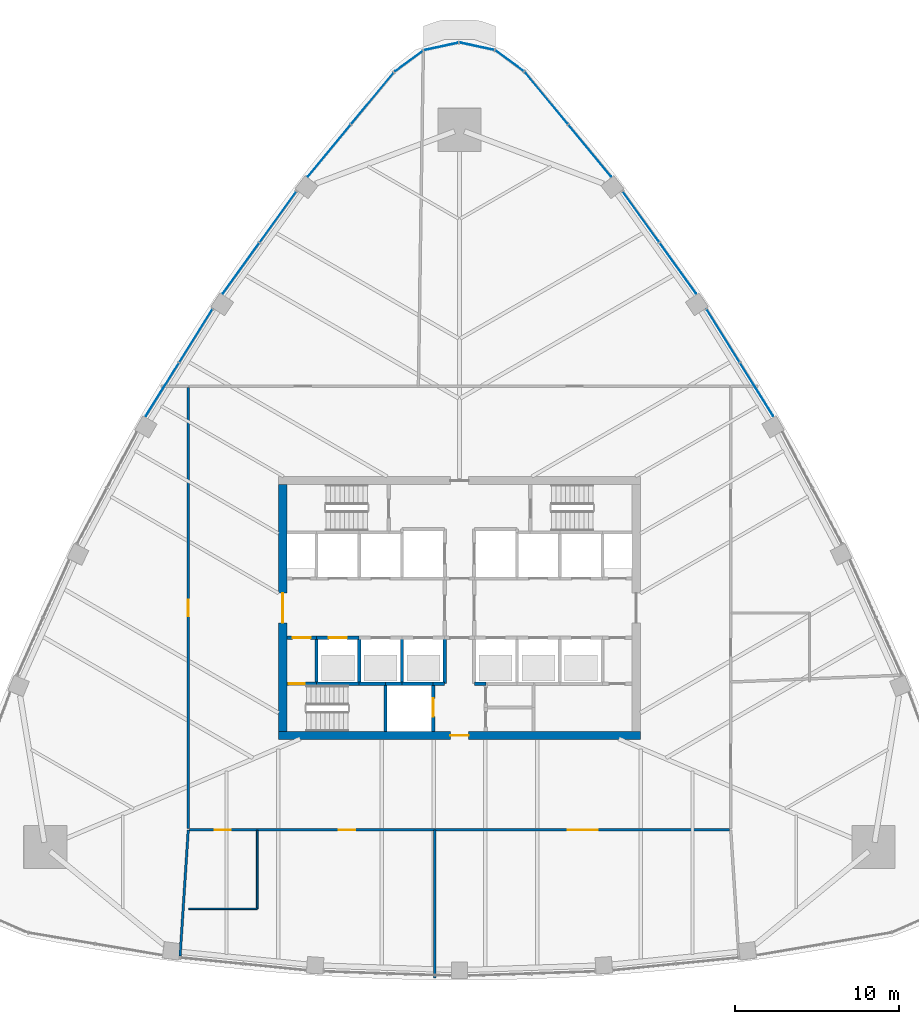
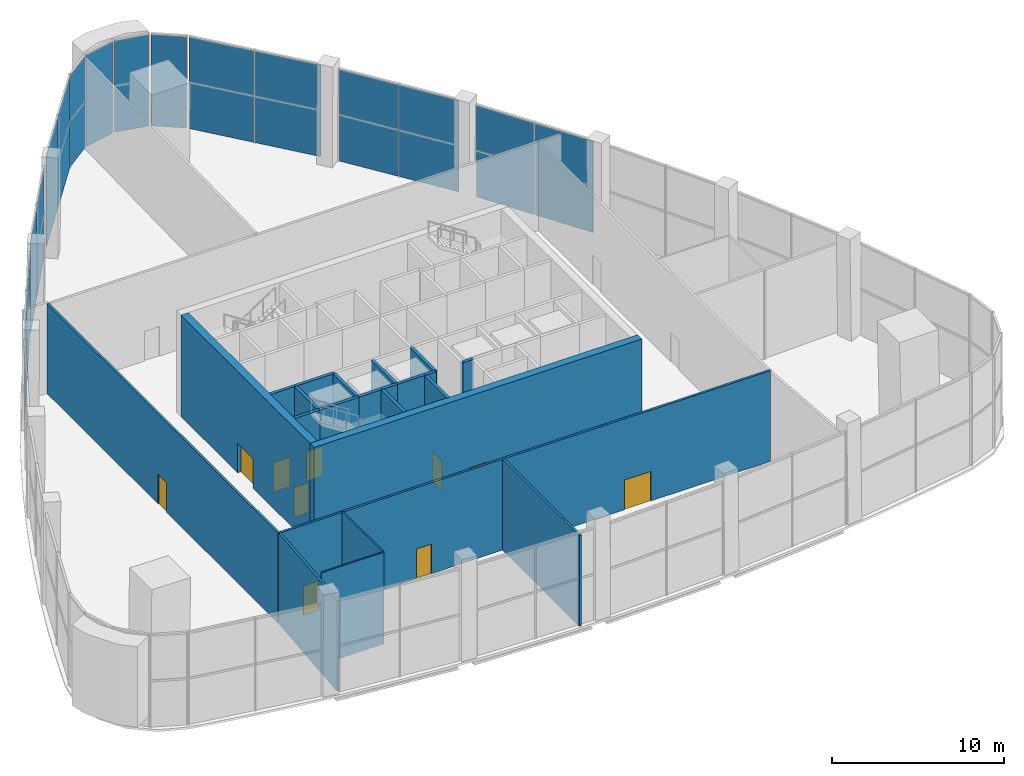
# One storey, part 9 of 15: 23 walls, 16 plates, 10 doors, 10 openings, 10 elements without a shape of their own.
"""IFC4 building model written with IfcOpenShell, lengths in metres."""

from ifc_helpers import new_model, si_unit, direction, frame, frame_2d, origin, origin_2d, place, context, subcontext, project, spatial, rectangle, extrude, material, layer, layer_set, type_object, element, fill, aggregate, save


model = new_model("IFC4")

# Units and contexts
model_context = context("Model", 3, precision=1e-05, world=origin(), true_north=direction((0.0, 1.0)))
body_context = subcontext(model_context, "Body", "Model", "MODEL_VIEW")
ifc_project = project(units=[si_unit("LENGTHUNIT", "METRE"), si_unit("AREAUNIT", "SQUARE_METRE"), si_unit("VOLUMEUNIT", "CUBIC_METRE"), si_unit("PLANEANGLEUNIT", "RADIAN"), si_unit("MASSUNIT", "GRAM", prefix="KILO")], contexts=[model_context])

# Site, building, storey
site_placement = place(None, origin())
site = spatial("IfcSite", under=ifc_project, at=site_placement, CompositionType="ELEMENT")
building_placement = place(site_placement, origin())
building = spatial("IfcBuilding", under=site, at=building_placement, Name="Sierra Prisma Convention Tower", CompositionType="ELEMENT")
storey_placement = place(building_placement, frame((0.0, 0.0, 118.60009765625)))
storey = spatial("IfcBuildingStorey", under=building, at=storey_placement, Name="L25", CompositionType="ELEMENT", Elevation=118.60009765625)

# Curtain wall, plates
ifc_material_1 = material(Name="Aluminium and glass curtain wall", Category="aluminium")
ifc_layer_1 = layer(ifc_material_1, 0.179931640625)
ifc_layer_set_1 = layer_set([ifc_layer_1], Name="CW-4 Sky lobby double-height curtain wall")
curtain_wall_type = type_object("IfcCurtainWallType", Name="CW-4 Sky lobby double-height curtain wall", PredefinedType="NOTDEFINED", material=ifc_layer_set_1)
curtain_wall_1_placement = place(storey_placement, origin())
curtain_wall_1 = element("IfcCurtainWall", 1, at=curtain_wall_1_placement, inside=storey, type_object=curtain_wall_type, Name="CW-4 NE4 L25", PredefinedType="NOTDEFINED")
ifc_material_2 = material(Name="Tinted glass bronze-grey IGU", Category="glass")
ifc_layer_2 = layer(ifc_material_2, 0.035888671875)
ifc_layer_set_2 = layer_set([ifc_layer_2], Name="CW-4 glass panel")
plate_type = type_object("IfcPlateType", Name="CW-4 glass panel", PredefinedType="CURTAIN_PANEL", material=ifc_layer_set_2)
plate_1_placement = place(storey_placement, frame((18.07861328125, 13.284912109375, 0.0), z_axis=(0.0, 0.0, 1.0), x_axis=(-0.528642254798, 0.848844724577, 0.0)))
plate_1 = element("IfcPlate", 2, at=plate_1_placement, type_object=plate_type, Name="CW-4 panel NE4.1", PredefinedType="CURTAIN_PANEL", context=body_context, shape_type="SweptSolid", body=[
    extrude(rectangle(XDim=3.79443359375, YDim=0.035888671875, at=origin_2d()), origin(), (0.0, 0.0, 1.0), 6.47998046875),
])
plate_2_placement = place(storey_placement, frame((16.03564453125, 16.565185546875, 0.0), z_axis=(0.0, 0.0, 1.0), x_axis=(-0.528642254798, 0.848844724577, 0.0)))
plate_2 = element("IfcPlate", 3, at=plate_2_placement, type_object=plate_type, Name="CW-4 panel NE4.2", PredefinedType="CURTAIN_PANEL", context=body_context, shape_type="SweptSolid", body=[
    extrude(rectangle(XDim=3.79443359375, YDim=0.035888671875, at=origin_2d()), origin(), (0.0, 0.0, 1.0), 6.47998046875),
])
aggregate(curtain_wall_1, [plate_1, plate_2])

curtain_wall_2_placement = place(storey_placement, origin())
curtain_wall_2 = element("IfcCurtainWall", 4, at=curtain_wall_2_placement, inside=storey, type_object=curtain_wall_type, Name="CW-4 NE5 L25", PredefinedType="NOTDEFINED")
plate_3_placement = place(storey_placement, frame((13.288330078125, 20.66650390625, 0.0), z_axis=(0.0, 0.0, 1.0), x_axis=(-0.584126282538, 0.811662790849, 0.0)))
plate_3 = element("IfcPlate", 5, at=plate_3_placement, type_object=plate_type, Name="CW-4 panel NE5.1", PredefinedType="CURTAIN_PANEL", context=body_context, shape_type="SweptSolid", body=[
    extrude(rectangle(XDim=3.779052734375, YDim=0.035888671875, at=origin_2d()), origin(), (0.0, 0.0, 1.0), 6.47998046875),
])
plate_4_placement = place(storey_placement, frame((11.039794921875, 23.79052734375, 0.0), z_axis=(0.0, 0.0, 1.0), x_axis=(-0.584126282538, 0.811662790849, 0.0)))
plate_4 = element("IfcPlate", 6, at=plate_4_placement, type_object=plate_type, Name="CW-4 panel NE5.2", PredefinedType="CURTAIN_PANEL", context=body_context, shape_type="SweptSolid", body=[
    extrude(rectangle(XDim=3.779052734375, YDim=0.035888671875, at=origin_2d()), origin(), (0.0, 0.0, 1.0), 6.47998046875),
])
aggregate(curtain_wall_2, [plate_3, plate_4])

curtain_wall_3_placement = place(storey_placement, origin())
curtain_wall_3 = element("IfcCurtainWall", 7, at=curtain_wall_3_placement, inside=storey, type_object=curtain_wall_type, Name="CW-4 NE6 L25", PredefinedType="NOTDEFINED")
plate_5_placement = place(storey_placement, frame((7.9248046875, 27.822509765625, 0.0), z_axis=(0.0, 0.0, 1.0), x_axis=(-0.637004538379, 0.770860050907, 0.0)))
plate_5 = element("IfcPlate", 8, at=plate_5_placement, type_object=plate_type, Name="CW-4 panel NE6.1", PredefinedType="CURTAIN_PANEL", context=body_context, shape_type="SweptSolid", body=[
    extrude(rectangle(XDim=4.050537109375, YDim=0.035888671875, at=origin_2d()), origin(), (0.0, 0.0, 1.0), 6.47998046875),
])
plate_6_placement = place(storey_placement, frame((5.2998046875, 30.9990234375, 0.0), z_axis=(0.0, 0.0, 1.0), x_axis=(-0.637004538379, 0.770860050907, 0.0)))
plate_6 = element("IfcPlate", 9, at=plate_6_placement, type_object=plate_type, Name="CW-4 panel NE6.2", PredefinedType="CURTAIN_PANEL", context=body_context, shape_type="SweptSolid", body=[
    extrude(rectangle(XDim=4.050537109375, YDim=0.035888671875, at=origin_2d()), origin(), (0.0, 0.0, 1.0), 6.47998046875),
])
aggregate(curtain_wall_3, [plate_5, plate_6])

# Curtain wall, plate
curtain_wall_4_placement = place(storey_placement, origin())
curtain_wall_4 = element("IfcCurtainWall", 10, at=curtain_wall_4_placement, inside=storey, type_object=curtain_wall_type, Name="CW-4 N1 L25", PredefinedType="NOTDEFINED")
plate_7_placement = place(storey_placement, frame((3.06982421875, 33.27392578125, 0.0), z_axis=(0.0, 0.0, 1.0), x_axis=(-0.805017389463, 0.593251213789, 0.0)))
plate_7 = element("IfcPlate", 11, at=plate_7_placement, type_object=plate_type, Name="CW-4 panel N1.1", PredefinedType="CURTAIN_PANEL", context=body_context, shape_type="SweptSolid", body=[
    extrude(rectangle(XDim=2.084228515625, YDim=0.035888671875, at=origin_2d()), origin(), (0.0, 0.0, 1.0), 6.47998046875),
])
aggregate(curtain_wall_4, [plate_7])

curtain_wall_5_placement = place(storey_placement, origin())
curtain_wall_5 = element("IfcCurtainWall", 12, at=curtain_wall_5_placement, inside=storey, type_object=curtain_wall_type, Name="CW-4 N2 L25", PredefinedType="NOTDEFINED")
plate_8_placement = place(storey_placement, frame((1.08740234375, 34.167236328125, 0.0), z_axis=(0.0, 0.0, 1.0), x_axis=(-0.97767571186, 0.210119495621, 0.0)))
plate_8 = element("IfcPlate", 13, at=plate_8_placement, type_object=plate_type, Name="CW-4 panel N2.1", PredefinedType="CURTAIN_PANEL", context=body_context, shape_type="SweptSolid", body=[
    extrude(rectangle(XDim=2.084228515625, YDim=0.035888671875, at=origin_2d()), origin(), (0.0, 0.0, 1.0), 6.47998046875),
])
aggregate(curtain_wall_5, [plate_8])

curtain_wall_6_placement = place(storey_placement, origin())
curtain_wall_6 = element("IfcCurtainWall", 14, at=curtain_wall_6_placement, inside=storey, type_object=curtain_wall_type, Name="CW-4 N3 L25", PredefinedType="NOTDEFINED")
plate_9_placement = place(storey_placement, frame((-1.08740234375, 34.167236328125, 0.0), z_axis=(0.0, 0.0, 1.0), x_axis=(-0.97767571186, -0.210119495621, 0.0)))
plate_9 = element("IfcPlate", 15, at=plate_9_placement, type_object=plate_type, Name="CW-4 panel N3.1", PredefinedType="CURTAIN_PANEL", context=body_context, shape_type="SweptSolid", body=[
    extrude(rectangle(XDim=2.084228515625, YDim=0.035888671875, at=origin_2d()), origin(), (0.0, 0.0, 1.0), 6.47998046875),
])
aggregate(curtain_wall_6, [plate_9])

curtain_wall_7_placement = place(storey_placement, origin())
curtain_wall_7 = element("IfcCurtainWall", 16, at=curtain_wall_7_placement, inside=storey, type_object=curtain_wall_type, Name="CW-4 N4 L25", PredefinedType="NOTDEFINED")
plate_10_placement = place(storey_placement, frame((-3.06982421875, 33.27392578125, 0.0), z_axis=(0.0, 0.0, 1.0), x_axis=(-0.805017389463, -0.593251213789, 0.0)))
plate_10 = element("IfcPlate", 17, at=plate_10_placement, type_object=plate_type, Name="CW-4 panel N4.1", PredefinedType="CURTAIN_PANEL", context=body_context, shape_type="SweptSolid", body=[
    extrude(rectangle(XDim=2.084228515625, YDim=0.035888671875, at=origin_2d()), origin(), (0.0, 0.0, 1.0), 6.47998046875),
])
aggregate(curtain_wall_7, [plate_10])

# Curtain wall, plates
curtain_wall_8_placement = place(storey_placement, origin())
curtain_wall_8 = element("IfcCurtainWall", 18, at=curtain_wall_8_placement, inside=storey, type_object=curtain_wall_type, Name="CW-4 NW1 L25", PredefinedType="NOTDEFINED")
plate_11_placement = place(storey_placement, frame((-5.2998046875, 30.9990234375, 0.0), z_axis=(0.0, 0.0, 1.0), x_axis=(-0.637004538379, -0.770860050907, 0.0)))
plate_11 = element("IfcPlate", 19, at=plate_11_placement, type_object=plate_type, Name="CW-4 panel NW1.1", PredefinedType="CURTAIN_PANEL", context=body_context, shape_type="SweptSolid", body=[
    extrude(rectangle(XDim=4.050537109375, YDim=0.035888671875, at=origin_2d()), origin(), (0.0, 0.0, 1.0), 6.47998046875),
])
plate_12_placement = place(storey_placement, frame((-7.9248046875, 27.822509765625, 0.0), z_axis=(0.0, 0.0, 1.0), x_axis=(-0.637004538379, -0.770860050907, 0.0)))
plate_12 = element("IfcPlate", 20, at=plate_12_placement, type_object=plate_type, Name="CW-4 panel NW1.2", PredefinedType="CURTAIN_PANEL", context=body_context, shape_type="SweptSolid", body=[
    extrude(rectangle(XDim=4.050537109375, YDim=0.035888671875, at=origin_2d()), origin(), (0.0, 0.0, 1.0), 6.47998046875),
])
aggregate(curtain_wall_8, [plate_11, plate_12])

curtain_wall_9_placement = place(storey_placement, origin())
curtain_wall_9 = element("IfcCurtainWall", 21, at=curtain_wall_9_placement, inside=storey, type_object=curtain_wall_type, Name="CW-4 NW2 L25", PredefinedType="NOTDEFINED")
plate_13_placement = place(storey_placement, frame((-11.040771484375, 23.789306640625, 0.0), z_axis=(0.0, 0.0, 1.0), x_axis=(-0.584126282538, -0.811662790849, 0.0)))
plate_13 = element("IfcPlate", 22, at=plate_13_placement, type_object=plate_type, Name="CW-4 panel NW2.1", PredefinedType="CURTAIN_PANEL", context=body_context, shape_type="SweptSolid", body=[
    extrude(rectangle(XDim=3.778076171875, YDim=0.035888671875, at=origin_2d()), origin(), (0.0, 0.0, 1.0), 6.47998046875),
])
plate_14_placement = place(storey_placement, frame((-13.28857421875, 20.666015625, 0.0), z_axis=(0.0, 0.0, 1.0), x_axis=(-0.584126282538, -0.811662790849, 0.0)))
plate_14 = element("IfcPlate", 23, at=plate_14_placement, type_object=plate_type, Name="CW-4 panel NW2.2", PredefinedType="CURTAIN_PANEL", context=body_context, shape_type="SweptSolid", body=[
    extrude(rectangle(XDim=3.778076171875, YDim=0.035888671875, at=origin_2d()), origin(), (0.0, 0.0, 1.0), 6.47998046875),
])
aggregate(curtain_wall_9, [plate_13, plate_14])

curtain_wall_10_placement = place(storey_placement, origin())
curtain_wall_10 = element("IfcCurtainWall", 24, at=curtain_wall_10_placement, inside=storey, type_object=curtain_wall_type, Name="CW-4 NW3 L25", PredefinedType="NOTDEFINED")
plate_15_placement = place(storey_placement, frame((-16.035888671875, 16.565185546875, 0.0), z_axis=(0.0, 0.0, 1.0), x_axis=(-0.528642254798, -0.848844724577, 0.0)))
plate_15 = element("IfcPlate", 25, at=plate_15_placement, type_object=plate_type, Name="CW-4 panel NW3.1", PredefinedType="CURTAIN_PANEL", context=body_context, shape_type="SweptSolid", body=[
    extrude(rectangle(XDim=3.794189453125, YDim=0.035888671875, at=origin_2d()), origin(), (0.0, 0.0, 1.0), 6.47998046875),
])
plate_16_placement = place(storey_placement, frame((-18.07861328125, 13.284912109375, 0.0), z_axis=(0.0, 0.0, 1.0), x_axis=(-0.528642254798, -0.848844724577, 0.0)))
plate_16 = element("IfcPlate", 26, at=plate_16_placement, type_object=plate_type, Name="CW-4 panel NW3.2", PredefinedType="CURTAIN_PANEL", context=body_context, shape_type="SweptSolid", body=[
    extrude(rectangle(XDim=3.794189453125, YDim=0.035888671875, at=origin_2d()), origin(), (0.0, 0.0, 1.0), 6.47998046875),
])
aggregate(curtain_wall_10, [plate_15, plate_16])

# Walls
ifc_material_3 = material(Name="Gypsum board partition", Category="gypsum")
ifc_layer_3 = layer(ifc_material_3, 0.10009765625)
ifc_layer_set_3 = layer_set([ifc_layer_3], Name="Bathroom partition 100")
wall_type_1 = type_object("IfcWallType", Name="Bathroom partition 100", PredefinedType="PARTITIONING", material=ifc_layer_set_3)
wall_1_placement = place(storey_placement, frame((-12.300048828125, -13.530029296875, 0.0), z_axis=(0.0, 0.0, 1.0), x_axis=(0.0, -1.0, 0.0)))
element("IfcWall", 27, at=wall_1_placement, inside=storey, type_object=wall_type_1, Name="Partition L25 bath 1", PredefinedType="PARTITIONING", context=body_context, shape_type="SweptSolid", body=[
    extrude(rectangle(XDim=4.77001953125, YDim=0.10009765625, at=frame_2d((2.385009765625, 0.0))), origin(), (0.0, 0.0, 1.0), 6.5),
])
wall_2_placement = place(storey_placement, frame((-12.300048828125, -18.300048828125, 0.0), z_axis=(0.0, 0.0, 1.0), x_axis=(-1.0, 0.0, 0.0)))
element("IfcWall", 28, at=wall_2_placement, inside=storey, type_object=wall_type_1, Name="Partition L25 bath 2", PredefinedType="PARTITIONING", context=body_context, shape_type="SweptSolid", body=[
    extrude(rectangle(XDim=4.169921875, YDim=0.10009765625, at=frame_2d((2.0849609375, 0.0))), origin(), (0.0, 0.0, 1.0), 6.5),
])

# Wall, opening, door
ifc_material_4 = material(Name="Concrete C30/37", Category="concrete")
ifc_layer_4 = layer(ifc_material_4, 0.199951171875)
ifc_layer_set_4 = layer_set([ifc_layer_4], Name="Core wall RC 200 C30/37")
wall_type_2 = type_object("IfcWallType", Name="Core wall RC 200 C30/37", PredefinedType="SOLIDWALL", material=ifc_layer_set_4)
wall_3_placement = place(storey_placement, frame((-10.5, -4.60009765625, 0.0), z_axis=(0.0, 0.0, 1.0), x_axis=(1.0, 0.0, 0.0)))
wall_3 = element("IfcWall", 29, at=wall_3_placement, inside=storey, type_object=wall_type_2, Name="Core wall L25 1", PredefinedType="SOLIDWALL", context=body_context, shape_type="SweptSolid", body=[
    extrude(rectangle(XDim=1.800048828125, YDim=0.199951171875, at=frame_2d((0.89990234375, 0.0))), origin(), (0.0, 0.0, 1.0), 7.0498046875),
])
opening_1_placement = place(wall_3_placement, frame((0.10009765625, 0.0, 0.0)))
opening_1 = element("IfcOpeningElement", 30, at=opening_1_placement, cuts=wall_3, Name="Opening L25-D021", PredefinedType="OPENING", context=body_context, shape_type="SweptSolid", body=[
    extrude(rectangle(XDim=1.0, YDim=2.10009765625, at=frame_2d((0.5, 1.050048828125))), frame((0.0, 0.10009765625, 0.0), z_axis=(0.0, -1.0, 0.0), x_axis=(1.0, 0.0, 0.0)), (0.0, 0.0, 1.0), 0.199951171875),
])
ifc_material_5 = material(Name="Steel fire door leaf", Category="steel")
door_type_1 = type_object("IfcDoorType", Name="Door 1000x2100 FD90S", OperationType="SINGLE_SWING_LEFT", PredefinedType="DOOR", material=ifc_material_5)
door_1_placement = place(opening_1_placement, origin())
door_1 = element("IfcDoor", 31, at=door_1_placement, inside=storey, type_object=door_type_1, Name="Door L25 30", OperationType="SINGLE_SWING_LEFT", OverallHeight=2.10009765625, OverallWidth=1.0, PredefinedType="DOOR", context=body_context, shape_type="SweptSolid", body=[
    extrude(rectangle(XDim=1.0, YDim=2.10009765625, at=frame_2d((0.5, 1.050048828125))), frame((0.0, 0.02490234375, 0.0), z_axis=(0.0, -1.0, 0.0), x_axis=(1.0, 0.0, 0.0)), (0.0, 0.0, 1.0), 0.050048828125),
])
fill(opening_1, door_1)

wall_4_placement = place(storey_placement, frame((-10.5, -1.800048828125, 0.0), z_axis=(0.0, 0.0, 1.0), x_axis=(1.0, 0.0, 0.0)))
wall_4 = element("IfcWall", 32, at=wall_4_placement, inside=storey, type_object=wall_type_2, Name="Core wall L25 2", PredefinedType="SOLIDWALL", context=body_context, shape_type="SweptSolid", body=[
    extrude(rectangle(XDim=1.800048828125, YDim=0.199951171875, at=frame_2d((0.89990234375, 0.0))), origin(), (0.0, 0.0, 1.0), 7.0498046875),
])
opening_2_placement = place(wall_4_placement, frame((0.35009765625, 0.0, 0.0)))
opening_2 = element("IfcOpeningElement", 33, at=opening_2_placement, cuts=wall_4, Name="Opening L25-D016", PredefinedType="OPENING", context=body_context, shape_type="SweptSolid", body=[
    extrude(rectangle(XDim=1.10009765625, YDim=2.10009765625, at=frame_2d((0.550048828125, 1.050048828125))), frame((0.0, 0.10009765625, 0.0), z_axis=(0.0, -1.0, 0.0), x_axis=(1.0, 0.0, 0.0)), (0.0, 0.0, 1.0), 0.199951171875),
])
ifc_material_6 = material(Name="Steel fire door leaf", Category="steel")
door_type_2 = type_object("IfcDoorType", Name="Door 1100x2100 FD90S", OperationType="SINGLE_SWING_LEFT", PredefinedType="DOOR", material=ifc_material_6)
door_2_placement = place(opening_2_placement, origin())
door_2 = element("IfcDoor", 34, at=door_2_placement, inside=storey, type_object=door_type_2, Name="Door L25 25", OperationType="SINGLE_SWING_RIGHT", OverallHeight=2.10009765625, OverallWidth=1.10009765625, PredefinedType="DOOR", context=body_context, shape_type="SweptSolid", body=[
    extrude(rectangle(XDim=1.10009765625, YDim=2.10009765625, at=frame_2d((0.550048828125, 1.050048828125))), frame((0.0, 0.02490234375, 0.0), z_axis=(0.0, -1.0, 0.0), x_axis=(1.0, 0.0, 0.0)), (0.0, 0.0, 1.0), 0.050048828125),
])
fill(opening_2, door_2)

# Walls
wall_5_placement = place(storey_placement, frame((-8.699951171875, -4.60009765625, 0.0), z_axis=(0.0, 0.0, 1.0), x_axis=(1.0, 0.0, 0.0)))
element("IfcWall", 35, at=wall_5_placement, inside=storey, type_object=wall_type_2, Name="Core wall L25 5", PredefinedType="SOLIDWALL", context=body_context, shape_type="SweptSolid", body=[
    extrude(rectangle(XDim=2.599853515625, YDim=0.199951171875, at=frame_2d((1.2998046875, 0.0))), origin(), (0.0, 0.0, 1.0), 7.0498046875),
])
wall_6_placement = place(storey_placement, frame((-8.699951171875, -4.60009765625, 0.0), z_axis=(0.0, 0.0, 1.0), x_axis=(0.0, 1.0, 0.0)))
element("IfcWall", 36, at=wall_6_placement, inside=storey, type_object=wall_type_2, Name="Core wall L25 6", PredefinedType="SOLIDWALL", context=body_context, shape_type="SweptSolid", body=[
    extrude(rectangle(XDim=2.800048828125, YDim=0.199951171875, at=frame_2d((1.39990234375, 0.0))), origin(), (0.0, 0.0, 1.0), 7.0498046875),
])

# Wall, opening, door
wall_7_placement = place(storey_placement, frame((-8.699951171875, -1.800048828125, 0.0), z_axis=(0.0, 0.0, 1.0), x_axis=(1.0, 0.0, 0.0)))
wall_7 = element("IfcWall", 37, at=wall_7_placement, inside=storey, type_object=wall_type_2, Name="Core wall L25 7", PredefinedType="SOLIDWALL", context=body_context, shape_type="SweptSolid", body=[
    extrude(rectangle(XDim=2.599853515625, YDim=0.199951171875, at=frame_2d((1.2998046875, 0.0))), origin(), (0.0, 0.0, 1.0), 7.0498046875),
])
opening_3_placement = place(wall_7_placement, frame((0.75, 0.0, 0.0)))
opening_3 = element("IfcOpeningElement", 38, at=opening_3_placement, cuts=wall_7, Name="Opening L25-D001", PredefinedType="OPENING", context=body_context, shape_type="SweptSolid", body=[
    extrude(rectangle(XDim=1.10009765625, YDim=2.10009765625, at=frame_2d((0.550048828125, 1.050048828125))), frame((0.0, 0.10009765625, 0.0), z_axis=(0.0, -1.0, 0.0), x_axis=(1.0, 0.0, 0.0)), (0.0, 0.0, 1.0), 0.199951171875),
])
ifc_material_7 = material(Name="Steel fire door leaf", Category="steel")
door_type_3 = type_object("IfcDoorType", Name="Door 1100x2100 EI 90 sliding lift landing", OperationType="SLIDING_TO_LEFT", PredefinedType="DOOR", material=ifc_material_7)
door_3_placement = place(opening_3_placement, origin())
door_3 = element("IfcDoor", 39, at=door_3_placement, inside=storey, type_object=door_type_3, Name="Door L25 10", OperationType="SLIDING_TO_LEFT", OverallHeight=2.10009765625, OverallWidth=1.10009765625, PredefinedType="DOOR", context=body_context, shape_type="SweptSolid", body=[
    extrude(rectangle(XDim=1.10009765625, YDim=2.10009765625, at=frame_2d((0.550048828125, 1.050048828125))), frame((0.0, 0.02490234375, 0.0), z_axis=(0.0, -1.0, 0.0), x_axis=(1.0, 0.0, 0.0)), (0.0, 0.0, 1.0), 0.050048828125),
])
fill(opening_3, door_3)

# Walls
wall_8_placement = place(storey_placement, frame((-6.10009765625, -4.60009765625, 0.0), z_axis=(0.0, 0.0, 1.0), x_axis=(1.0, 0.0, 0.0)))
element("IfcWall", 40, at=wall_8_placement, inside=storey, type_object=wall_type_2, Name="Core wall L25 11", PredefinedType="SOLIDWALL", context=body_context, shape_type="SweptSolid", body=[
    extrude(rectangle(XDim=1.60009765625, YDim=0.199951171875, at=frame_2d((0.800048828125, 0.0))), origin(), (0.0, 0.0, 1.0), 7.0498046875),
])
wall_9_placement = place(storey_placement, frame((-6.10009765625, -4.60009765625, 0.0), z_axis=(0.0, 0.0, 1.0), x_axis=(0.0, 1.0, 0.0)))
element("IfcWall", 41, at=wall_9_placement, inside=storey, type_object=wall_type_2, Name="Core wall L25 12", PredefinedType="SOLIDWALL", context=body_context, shape_type="SweptSolid", body=[
    extrude(rectangle(XDim=2.800048828125, YDim=0.199951171875, at=frame_2d((1.39990234375, 0.0))), origin(), (0.0, 0.0, 1.0), 7.0498046875),
])
wall_10_placement = place(storey_placement, frame((-4.5, -4.60009765625, 0.0), z_axis=(0.0, 0.0, 1.0), x_axis=(0.0, -1.0, 0.0)))
element("IfcWall", 42, at=wall_10_placement, inside=storey, type_object=wall_type_2, Name="Core wall L25 17", PredefinedType="SOLIDWALL", context=body_context, shape_type="SweptSolid", body=[
    extrude(rectangle(XDim=2.89990234375, YDim=0.199951171875, at=frame_2d((1.449951171875, 0.0))), origin(), (0.0, 0.0, 1.0), 7.0498046875),
])
wall_11_placement = place(storey_placement, frame((-4.5, -4.60009765625, 0.0), z_axis=(0.0, 0.0, 1.0), x_axis=(1.0, 0.0, 0.0)))
element("IfcWall", 43, at=wall_11_placement, inside=storey, type_object=wall_type_2, Name="Core wall L25 18", PredefinedType="SOLIDWALL", context=body_context, shape_type="SweptSolid", body=[
    extrude(rectangle(XDim=1.0, YDim=0.199951171875, at=frame_2d((0.5, 0.0))), origin(), (0.0, 0.0, 1.0), 7.0498046875),
])
wall_12_placement = place(storey_placement, frame((-3.5, -4.60009765625, 0.0), z_axis=(0.0, 0.0, 1.0), x_axis=(1.0, 0.0, 0.0)))
element("IfcWall", 44, at=wall_12_placement, inside=storey, type_object=wall_type_2, Name="Core wall L25 21", PredefinedType="SOLIDWALL", context=body_context, shape_type="SweptSolid", body=[
    extrude(rectangle(XDim=1.89990234375, YDim=0.199951171875, at=frame_2d((0.949951171875, 0.0))), origin(), (0.0, 0.0, 1.0), 7.0498046875),
])
wall_13_placement = place(storey_placement, frame((-3.5, -4.60009765625, 0.0), z_axis=(0.0, 0.0, 1.0), x_axis=(0.0, 1.0, 0.0)))
element("IfcWall", 45, at=wall_13_placement, inside=storey, type_object=wall_type_2, Name="Core wall L25 22", PredefinedType="SOLIDWALL", context=body_context, shape_type="SweptSolid", body=[
    extrude(rectangle(XDim=2.800048828125, YDim=0.199951171875, at=frame_2d((1.39990234375, 0.0))), origin(), (0.0, 0.0, 1.0), 7.0498046875),
])

# Wall, opening, door
wall_14_placement = place(storey_placement, frame((-1.60009765625, -7.5, 0.0), z_axis=(0.0, 0.0, 1.0), x_axis=(0.0, 1.0, 0.0)))
wall_14 = element("IfcWall", 46, at=wall_14_placement, inside=storey, type_object=wall_type_2, Name="Core wall L25 29", PredefinedType="SOLIDWALL", context=body_context, shape_type="SweptSolid", body=[
    extrude(rectangle(XDim=2.89990234375, YDim=0.199951171875, at=frame_2d((1.449951171875, 0.0))), origin(), (0.0, 0.0, 1.0), 7.0498046875),
])
opening_4_placement = place(wall_14_placement, frame((0.89990234375, 0.0, 0.0)))
opening_4 = element("IfcOpeningElement", 47, at=opening_4_placement, cuts=wall_14, Name="Opening L25-D013", PredefinedType="OPENING", context=body_context, shape_type="SweptSolid", body=[
    extrude(rectangle(XDim=1.10009765625, YDim=2.10009765625, at=frame_2d((0.550048828125, 1.050048828125))), frame((0.0, 0.10009765625, 0.0), z_axis=(0.0, -1.0, 0.0), x_axis=(1.0, 0.0, 0.0)), (0.0, 0.0, 1.0), 0.199951171875),
])
door_4_placement = place(opening_4_placement, origin())
door_4 = element("IfcDoor", 48, at=door_4_placement, inside=storey, type_object=door_type_3, Name="Door L25 22", OperationType="SLIDING_TO_RIGHT", OverallHeight=2.10009765625, OverallWidth=1.10009765625, PredefinedType="DOOR", context=body_context, shape_type="SweptSolid", body=[
    extrude(rectangle(XDim=1.10009765625, YDim=2.10009765625, at=frame_2d((0.550048828125, 1.050048828125))), frame((0.0, 0.02490234375, 0.0), z_axis=(0.0, -1.0, 0.0), x_axis=(1.0, 0.0, 0.0)), (0.0, 0.0, 1.0), 0.050048828125),
])
fill(opening_4, door_4)

# Walls
wall_15_placement = place(storey_placement, frame((-1.60009765625, -4.60009765625, 0.0), z_axis=(0.0, 0.0, 1.0), x_axis=(1.0, 0.0, 0.0)))
element("IfcWall", 49, at=wall_15_placement, inside=storey, type_object=wall_type_2, Name="Core wall L25 30", PredefinedType="SOLIDWALL", context=body_context, shape_type="SweptSolid", body=[
    extrude(rectangle(XDim=0.7001953125, YDim=0.199951171875, at=frame_2d((0.35009765625, 0.0))), origin(), (0.0, 0.0, 1.0), 7.0498046875),
])
wall_16_placement = place(storey_placement, frame((-0.89990234375, -4.60009765625, 0.0), z_axis=(0.0, 0.0, 1.0), x_axis=(0.0, 1.0, 0.0)))
element("IfcWall", 50, at=wall_16_placement, inside=storey, type_object=wall_type_2, Name="Core wall L25 31", PredefinedType="SOLIDWALL", context=body_context, shape_type="SweptSolid", body=[
    extrude(rectangle(XDim=2.800048828125, YDim=0.199951171875, at=frame_2d((1.39990234375, 0.0))), origin(), (0.0, 0.0, 1.0), 7.0498046875),
])
wall_17_placement = place(storey_placement, frame((0.89990234375, -4.60009765625, 0.0), z_axis=(0.0, 0.0, 1.0), x_axis=(1.0, 0.0, 0.0)))
element("IfcWall", 51, at=wall_17_placement, inside=storey, type_object=wall_type_2, Name="Core wall L25 38", PredefinedType="SOLIDWALL", context=body_context, shape_type="SweptSolid", body=[
    extrude(rectangle(XDim=0.7001953125, YDim=0.199951171875, at=frame_2d((0.35009765625, 0.0))), origin(), (0.0, 0.0, 1.0), 7.0498046875),
])

# Wall, opening, door
ifc_material_8 = material(Name="Concrete C60/75", Category="concrete")
ifc_layer_5 = layer(ifc_material_8, 0.5)
ifc_layer_set_5 = layer_set([ifc_layer_5], Name="Core wall RC 500 C60/75")
wall_type_3 = type_object("IfcWallType", Name="Core wall RC 500 C60/75", PredefinedType="SHEAR", material=ifc_layer_set_5)
wall_18_placement = place(storey_placement, frame((-11.0, -7.75, 0.0), z_axis=(0.0, 0.0, 1.0), x_axis=(1.0, 0.0, 0.0)))
wall_18 = element("IfcWall", 52, at=wall_18_placement, inside=storey, type_object=wall_type_3, Name="Core wall S L25", PredefinedType="SHEAR", context=body_context, shape_type="SweptSolid", body=[
    extrude(rectangle(XDim=22.0, YDim=0.5, at=frame_2d((11.0, 0.0))), origin(), (0.0, 0.0, 1.0), 7.199951171875),
])
opening_5_placement = place(wall_18_placement, frame((10.449951171875, 0.0, 0.0)))
opening_5 = element("IfcOpeningElement", 53, at=opening_5_placement, cuts=wall_18, Name="Opening L25-D039", PredefinedType="OPENING", context=body_context, shape_type="SweptSolid", body=[
    extrude(rectangle(XDim=1.10009765625, YDim=2.10009765625, at=frame_2d((0.550048828125, 1.050048828125))), frame((0.0, 0.25, 0.0), z_axis=(0.0, -1.0, 0.0), x_axis=(1.0, 0.0, 0.0)), (0.0, 0.0, 1.0), 0.5),
])
ifc_material_9 = material(Name="Steel fire door leaf", Category="steel")
door_type_4 = type_object("IfcDoorType", Name="Door 1100x2100 FD30S", OperationType="SINGLE_SWING_LEFT", PredefinedType="DOOR", material=ifc_material_9)
door_5_placement = place(opening_5_placement, origin())
door_5 = element("IfcDoor", 54, at=door_5_placement, inside=storey, type_object=door_type_4, Name="Door L25 40", OperationType="SINGLE_SWING_LEFT", OverallHeight=2.10009765625, OverallWidth=1.10009765625, PredefinedType="DOOR", context=body_context, shape_type="SweptSolid", body=[
    extrude(rectangle(XDim=1.10009765625, YDim=2.10009765625, at=frame_2d((0.550048828125, 1.050048828125))), frame((0.0, 0.02490234375, 0.0), z_axis=(0.0, -1.0, 0.0), x_axis=(1.0, 0.0, 0.0)), (0.0, 0.0, 1.0), 0.050048828125),
])
fill(opening_5, door_5)

wall_19_placement = place(storey_placement, frame((-10.75, -7.5, 0.0), z_axis=(0.0, 0.0, 1.0), x_axis=(0.0, 1.0, 0.0)))
wall_19 = element("IfcWall", 55, at=wall_19_placement, inside=storey, type_object=wall_type_3, Name="Core wall W L25", PredefinedType="SHEAR", context=body_context, shape_type="SweptSolid", body=[
    extrude(rectangle(XDim=15.0, YDim=0.5, at=frame_2d((7.5, 0.0))), origin(), (0.0, 0.0, 1.0), 7.199951171875),
])
opening_6_placement = place(wall_19_placement, frame((6.60009765625, 0.0, 0.0)))
opening_6 = element("IfcOpeningElement", 56, at=opening_6_placement, cuts=wall_19, Name="Opening L25-D040", PredefinedType="OPENING", context=body_context, shape_type="SweptSolid", body=[
    extrude(rectangle(XDim=1.800048828125, YDim=2.10009765625, at=frame_2d((0.89990234375, 1.050048828125))), frame((0.0, 0.25, 0.0), z_axis=(0.0, -1.0, 0.0), x_axis=(1.0, 0.0, 0.0)), (0.0, 0.0, 1.0), 0.5),
])
ifc_material_10 = material(Name="Steel fire door leaf", Category="steel")
door_type_5 = type_object("IfcDoorType", Name="Door 1800x2100 FD60S", OperationType="DOUBLE_DOOR_SINGLE_SWING", PredefinedType="DOOR", material=ifc_material_10)
door_6_placement = place(opening_6_placement, origin())
door_6 = element("IfcDoor", 57, at=door_6_placement, inside=storey, type_object=door_type_5, Name="Door L25 37", OperationType="DOUBLE_DOOR_SINGLE_SWING", OverallHeight=2.10009765625, OverallWidth=1.800048828125, PredefinedType="DOOR", context=body_context, shape_type="SweptSolid", body=[
    extrude(rectangle(XDim=1.800048828125, YDim=2.10009765625, at=frame_2d((0.89990234375, 1.050048828125))), frame((0.0, 0.02490234375, 0.0), z_axis=(0.0, -1.0, 0.0), x_axis=(1.0, 0.0, 0.0)), (0.0, 0.0, 1.0), 0.050048828125),
])
fill(opening_6, door_6)

ifc_material_11 = material(Name="Gypsum board partition", Category="gypsum")
ifc_layer_6 = layer(ifc_material_11, 0.14990234375)
ifc_layer_set_6 = layer_set([ifc_layer_6], Name="Corridor wall 150 gypsum EI 60")
wall_type_4 = type_object("IfcWallType", Name="Corridor wall 150 gypsum EI 60", PredefinedType="PARTITIONING", material=ifc_layer_set_6)
wall_20_placement = place(storey_placement, frame((-16.5, 13.419921875, 0.0), z_axis=(0.0, 0.0, 1.0), x_axis=(0.0, -1.0, 0.0)))
wall_20 = element("IfcWall", 58, at=wall_20_placement, inside=storey, type_object=wall_type_4, Name="Partition L25 corr 1", PredefinedType="PARTITIONING", context=body_context, shape_type="SweptSolid", body=[
    extrude(rectangle(XDim=26.83984375, YDim=0.14990234375, at=frame_2d((13.419921875, 0.0))), origin(), (0.0, 0.0, 1.0), 6.365966796875),
])
opening_7_placement = place(wall_20_placement, frame((12.929931640625, 0.0, 0.0)))
opening_7 = element("IfcOpeningElement", 59, at=opening_7_placement, cuts=wall_20, Name="Opening L25-D032", PredefinedType="OPENING", context=body_context, shape_type="SweptSolid", body=[
    extrude(rectangle(XDim=1.0, YDim=2.10009765625, at=frame_2d((0.5, 1.050048828125))), frame((0.0, 0.074951171875, 0.0), z_axis=(0.0, -1.0, 0.0), x_axis=(1.0, 0.0, 0.0)), (0.0, 0.0, 1.0), 0.14990234375),
])
ifc_material_12 = material(Name="Steel fire door leaf", Category="steel")
door_type_6 = type_object("IfcDoorType", Name="Door 1000x2100 FD30S", OperationType="SINGLE_SWING_LEFT", PredefinedType="DOOR", material=ifc_material_12)
door_7_placement = place(opening_7_placement, origin())
door_7 = element("IfcDoor", 60, at=door_7_placement, inside=storey, type_object=door_type_6, Name="Door L25 5", OperationType="SINGLE_SWING_LEFT", OverallHeight=2.10009765625, OverallWidth=1.0, PredefinedType="DOOR", context=body_context, shape_type="SweptSolid", body=[
    extrude(rectangle(XDim=1.0, YDim=2.10009765625, at=frame_2d((0.5, 1.050048828125))), frame((0.0, 0.02490234375, 0.0), z_axis=(0.0, -1.0, 0.0), x_axis=(1.0, 0.0, 0.0)), (0.0, 0.0, 1.0), 0.050048828125),
])
fill(opening_7, door_7)

# Wall, openings, doors
wall_21_placement = place(storey_placement, frame((-16.419921875, -13.5, 0.0), z_axis=(0.0, 0.0, 1.0), x_axis=(1.0, 0.0, 0.0)))
wall_21 = element("IfcWall", 61, at=wall_21_placement, inside=storey, type_object=wall_type_4, Name="Partition L25 corr 2", PredefinedType="PARTITIONING", context=body_context, shape_type="SweptSolid", body=[
    extrude(rectangle(XDim=32.83984375, YDim=0.14990234375, at=frame_2d((16.419921875, 0.0))), origin(), (0.0, 0.0, 1.0), 6.44287109375),
])
opening_8_placement = place(wall_21_placement, frame((1.52001953125, 0.0, 0.0)))
opening_8 = element("IfcOpeningElement", 62, at=opening_8_placement, cuts=wall_21, Name="Opening L25-D033", PredefinedType="OPENING", context=body_context, shape_type="SweptSolid", body=[
    extrude(rectangle(XDim=1.0, YDim=2.10009765625, at=frame_2d((0.5, 1.050048828125))), frame((0.0, 0.074951171875, 0.0), z_axis=(0.0, -1.0, 0.0), x_axis=(1.0, 0.0, 0.0)), (0.0, 0.0, 1.0), 0.14990234375),
])
opening_9_placement = place(wall_21_placement, frame((9.070068359375, 0.0, 0.0)))
opening_9 = element("IfcOpeningElement", 63, at=opening_9_placement, cuts=wall_21, Name="Opening L25-D034", PredefinedType="OPENING", context=body_context, shape_type="SweptSolid", body=[
    extrude(rectangle(XDim=1.0, YDim=2.10009765625, at=frame_2d((0.5, 1.050048828125))), frame((0.0, 0.074951171875, 0.0), z_axis=(0.0, -1.0, 0.0), x_axis=(1.0, 0.0, 0.0)), (0.0, 0.0, 1.0), 0.14990234375),
])
opening_10_placement = place(wall_21_placement, frame((23.02001953125, 0.0, 0.0)))
opening_10 = element("IfcOpeningElement", 64, at=opening_10_placement, cuts=wall_21, Name="Opening L25-D035", PredefinedType="OPENING", context=body_context, shape_type="SweptSolid", body=[
    extrude(rectangle(XDim=1.800048828125, YDim=2.10009765625, at=frame_2d((0.89990234375, 1.050048828125))), frame((0.0, 0.074951171875, 0.0), z_axis=(0.0, -1.0, 0.0), x_axis=(1.0, 0.0, 0.0)), (0.0, 0.0, 1.0), 0.14990234375),
])
door_8_placement = place(opening_8_placement, origin())
door_8 = element("IfcDoor", 65, at=door_8_placement, inside=storey, type_object=door_type_6, Name="Door L25 6", OperationType="SINGLE_SWING_RIGHT", OverallHeight=2.10009765625, OverallWidth=1.0, PredefinedType="DOOR", context=body_context, shape_type="SweptSolid", body=[
    extrude(rectangle(XDim=1.0, YDim=2.10009765625, at=frame_2d((0.5, 1.050048828125))), frame((0.0, 0.02490234375, 0.0), z_axis=(0.0, -1.0, 0.0), x_axis=(1.0, 0.0, 0.0)), (0.0, 0.0, 1.0), 0.050048828125),
])
fill(opening_8, door_8)
door_9_placement = place(opening_9_placement, origin())
door_9 = element("IfcDoor", 66, at=door_9_placement, inside=storey, type_object=door_type_6, Name="Door L25 7", OperationType="SINGLE_SWING_LEFT", OverallHeight=2.10009765625, OverallWidth=1.0, PredefinedType="DOOR", context=body_context, shape_type="SweptSolid", body=[
    extrude(rectangle(XDim=1.0, YDim=2.10009765625, at=frame_2d((0.5, 1.050048828125))), frame((0.0, 0.02490234375, 0.0), z_axis=(0.0, -1.0, 0.0), x_axis=(1.0, 0.0, 0.0)), (0.0, 0.0, 1.0), 0.050048828125),
])
fill(opening_9, door_9)
ifc_material_13 = material(Name="Steel fire door leaf", Category="steel")
door_type_7 = type_object("IfcDoorType", Name="Door 1800x2100 FD30S", OperationType="DOUBLE_DOOR_SINGLE_SWING", PredefinedType="DOOR", material=ifc_material_13)
door_10_placement = place(opening_10_placement, origin())
door_10 = element("IfcDoor", 67, at=door_10_placement, inside=storey, type_object=door_type_7, Name="Door L25 8", OperationType="DOUBLE_DOOR_SINGLE_SWING", OverallHeight=2.10009765625, OverallWidth=1.800048828125, PredefinedType="DOOR", context=body_context, shape_type="SweptSolid", body=[
    extrude(rectangle(XDim=1.800048828125, YDim=2.10009765625, at=frame_2d((0.89990234375, 1.050048828125))), frame((0.0, 0.02490234375, 0.0), z_axis=(0.0, -1.0, 0.0), x_axis=(1.0, 0.0, 0.0)), (0.0, 0.0, 1.0), 0.050048828125),
])
fill(opening_10, door_10)

# Walls
ifc_material_14 = material(Name="Gypsum board partition", Category="gypsum")
ifc_layer_7 = layer(ifc_material_14, 0.14990234375)
ifc_layer_set_7 = layer_set([ifc_layer_7], Name="Party wall 150 gypsum")
wall_type_5 = type_object("IfcWallType", Name="Party wall 150 gypsum", PredefinedType="PARTITIONING", material=ifc_layer_set_7)
wall_22_placement = place(storey_placement, frame((-16.5, -13.5, 0.0), z_axis=(0.0, 0.0, 1.0), x_axis=(-0.064628390645, -0.997909400258, 0.0)))
element("IfcWall", 68, at=wall_22_placement, inside=storey, type_object=wall_type_5, Name="Partition L25 party 2", PredefinedType="PARTITIONING", context=body_context, shape_type="SweptSolid", body=[
    extrude(rectangle(XDim=7.679931640625, YDim=0.14990234375, at=frame_2d((3.83984375, 0.0))), origin(), (0.0, 0.0, 1.0), 6.433837890625),
])
wall_23_placement = place(storey_placement, frame((-1.5, -13.5, 0.0), z_axis=(0.0, 0.0, 1.0), x_axis=(0.0, -1.0, 0.0)))
element("IfcWall", 69, at=wall_23_placement, inside=storey, type_object=wall_type_5, Name="Partition L25 party 4", PredefinedType="PARTITIONING", context=body_context, shape_type="SweptSolid", body=[
    extrude(rectangle(XDim=9.0, YDim=0.14990234375, at=frame_2d((4.5, 0.0))), origin(), (0.0, 0.0, 1.0), 6.433837890625),
])

save(model, "model.ifc")
